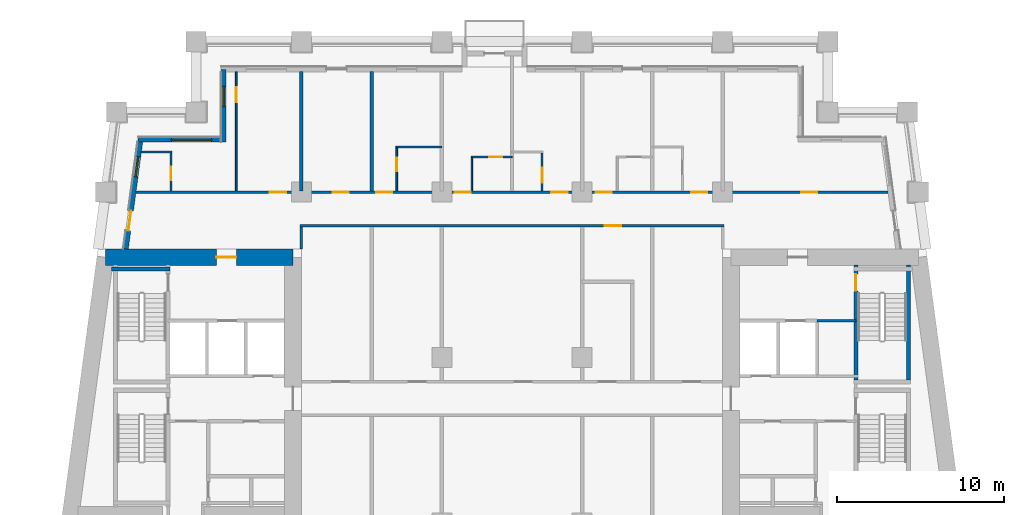
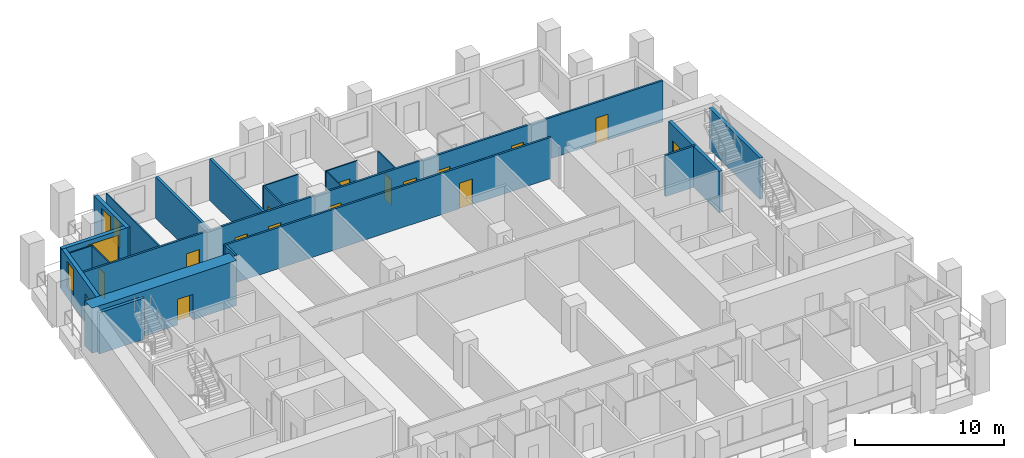
# One storey, part 7 of 14: 21 walls, 17 doors, 3 windows, 20 openings.
"""IFC4 building model written with IfcOpenShell, lengths in metres."""

import ifcopenshell
import ifcopenshell.guid

model = None  # the IFC model being written
_history = None  # IfcOwnerHistory: only IFC2X3 demands one
_inside = {}  # id of a spatial element -> (the spatial element, [elements in it])
_under = {}  # id of a project, library or spatial element -> (it, [spatial elements below it])
_declared = {}  # id of a project -> (the project, [libraries it declares])
_typed = {}  # id of a type object -> (the type object, [elements of that type])
_made_of = {}  # id of a material, layer set ... -> (it, [elements and type objects made of it])


def new_model(schema):
    """Start an empty IFC model of exactly this schema.

    Asked for "IFC4X3", IfcOpenShell would pick the latest addendum, in which some entities
    have other attributes; the version numbers below select the first issue.
    IFC2X3 requires an IfcOwnerHistory on every rooted entity: one is made here for all.
    """
    global model, _history
    if schema == "IFC4X3":
        model = ifcopenshell.file(schema_version=(4, 3, 0, 0))
    else:
        model = ifcopenshell.file(schema=schema)
    _inside.clear()
    _under.clear()
    _declared.clear()
    _typed.clear()
    _made_of.clear()
    _history = None
    if model.schema == "IFC2X3":
        org = make("IfcOrganization", Name="unknown")
        user = make(
            "IfcPersonAndOrganization",
            ThePerson=make("IfcPerson", FamilyName="unknown"),
            TheOrganization=org,
        )
        app = make(
            "IfcApplication",
            ApplicationDeveloper=org,
            Version="unknown",
            ApplicationFullName="unknown",
            ApplicationIdentifier="unknown",
        )
        _history = make(
            "IfcOwnerHistory",
            OwningUser=user,
            OwningApplication=app,
            ChangeAction="ADDED",
            CreationDate=0,
        )
    return model


def make(cls, **values):
    """One entity of the class cls with the attributes given. An attribute that is None is left unset."""
    return model.create_entity(
        cls, **{name: value for name, value in values.items() if value is not None}
    )


def rooted(cls, **values):
    """An entity with a GlobalId (a new one), such as an element, a storey or a relation."""
    return make(cls, GlobalId=ifcopenshell.guid.new(), OwnerHistory=_history, **values)


def si_unit(unit_type, name, prefix=None):
    """IfcSIUnit, for example si_unit("LENGTHUNIT", "METRE", prefix="MILLI")."""
    return make("IfcSIUnit", UnitType=unit_type, Prefix=prefix, Name=name)


def assignment(units):
    """IfcUnitAssignment: the units of a project."""
    return None if units is None else make("IfcUnitAssignment", Units=units)


def point(xyz):
    """IfcCartesianPoint."""
    return None if xyz is None else make("IfcCartesianPoint", Coordinates=xyz)


def direction(xyz):
    """IfcDirection."""
    return None if xyz is None else make("IfcDirection", DirectionRatios=xyz)


def frame(location, z_axis=None, x_axis=None):
    """IfcAxis2Placement3D, a coordinate frame: its origin and axes. An axis left out is left unset."""
    return make(
        "IfcAxis2Placement3D",
        Location=point(location),
        Axis=direction(z_axis),
        RefDirection=direction(x_axis),
    )


def frame_2d(location, x_axis=None):
    """IfcAxis2Placement2D, a coordinate frame in the plane: its origin and x axis."""
    return make(
        "IfcAxis2Placement2D", Location=point(location), RefDirection=direction(x_axis)
    )


def origin():
    """The frame at (0, 0, 0) with its axes left unset."""
    return frame((0.0, 0.0, 0.0))


def place(relative_to, where):
    """IfcLocalPlacement: puts the frame where relative to a parent placement (None: the world)."""
    return make(
        "IfcLocalPlacement", PlacementRelTo=relative_to, RelativePlacement=where
    )


def context(
    kind, dimensions, precision=None, world=None, true_north=None, identifier=None
):
    """IfcGeometricRepresentationContext, for example the 3D "Model" context."""
    return make(
        "IfcGeometricRepresentationContext",
        ContextIdentifier=identifier,
        ContextType=kind,
        CoordinateSpaceDimension=dimensions,
        Precision=precision,
        WorldCoordinateSystem=world,
        TrueNorth=true_north,
    )


def subcontext(parent, identifier, kind, view, scale=None):
    """IfcGeometricRepresentationSubContext, for example "Body" below "Model"."""
    return make(
        "IfcGeometricRepresentationSubContext",
        ContextIdentifier=identifier,
        ContextType=kind,
        ParentContext=parent,
        TargetScale=scale,
        TargetView=view,
    )


def project(units=None, contexts=None):
    """IfcProject with its units and contexts."""
    return rooted(
        "IfcProject",
        Name="project",
        RepresentationContexts=contexts,
        UnitsInContext=assignment(units),
    )


def spatial(cls, under=None, at=None, **own):
    """A site, building, storey or space (cls), placed at a placement, below another one or the project."""
    s = rooted(cls, ObjectPlacement=at, **own)
    if under is not None:
        _under.setdefault(under.id(), (under, []))[1].append(s)
    return s


def profile(cls, at=None, kind="AREA", **sizes):
    """A parametric profile (cls). Its sizes go by their IFC names, for example OverallWidth=200.0."""
    return make(cls, ProfileType=kind, Position=at, **sizes)


def rectangle(**sizes):
    """IfcRectangleProfileDef."""
    return profile("IfcRectangleProfileDef", **sizes)


def extrude(swept, where, along, depth):
    """IfcExtrudedAreaSolid: the profile swept, set in the frame where, extruded along a direction by depth."""
    return make(
        "IfcExtrudedAreaSolid",
        SweptArea=swept,
        Position=where,
        ExtrudedDirection=direction(along),
        Depth=depth,
    )


def shape(context_of_items, identifier, shape_type, items):
    """IfcShapeRepresentation: the items that make up one representation, for example the "Body"."""
    return make(
        "IfcShapeRepresentation",
        ContextOfItems=context_of_items,
        RepresentationIdentifier=identifier,
        RepresentationType=shape_type,
        Items=items,
    )


def material(Name=None, Category=None):
    """IfcMaterial."""
    return make("IfcMaterial", Name=Name, Category=Category)


def layer(
    of_material, thickness, ventilated=None, Name=None, Category=None, Priority=None
):
    """IfcMaterialLayer: one layer of a wall or slab, of a material (None: an air gap)."""
    return make(
        "IfcMaterialLayer",
        Material=of_material,
        LayerThickness=thickness,
        IsVentilated=ventilated,
        Name=Name,
        Category=Category,
        Priority=Priority,
    )


def layer_set(layers, Name=None):
    """IfcMaterialLayerSet."""
    return make("IfcMaterialLayerSet", MaterialLayers=layers, LayerSetName=Name)


def made_of(thing, what):
    """Note that an element or type object is made of a material, layer set ...; save() writes the relation."""
    if what is not None:
        _made_of.setdefault(what.id(), (what, []))[1].append(thing)
    return thing


def type_object(cls, material=None, **own):
    """A type object (cls), such as IfcWallType, which elements share."""
    return made_of(rooted(cls, **own), material)


def element(
    cls,
    number,
    at=None,
    inside=None,
    cuts=None,
    type_object=None,
    material=None,
    context=None,
    identifier="Body",
    shape_type=None,
    held_by="IfcProductDefinitionShape",
    body=None,
    shapes=None,
    **own,
):
    """One element of the class cls, such as IfcWall. Its Tag is "e" and its number.

    at: its placement. inside: the storey or other place that contains it. cuts: it is an
    opening in that element (IfcRelVoidsElement). A single representation is given by context,
    identifier, shape_type and body (its items); several are given by shapes. held_by: the class
    of the entity that holds the representations. save() writes the other relations.
    """
    e = rooted(cls, Tag="e%d" % number, ObjectPlacement=at, **own)
    if body is not None:
        shapes = [shape(context, identifier, shape_type, body)]
    if shapes is not None:
        e.Representation = make(held_by, Representations=shapes)
    if inside is not None:
        _inside.setdefault(inside.id(), (inside, []))[1].append(e)
    if cuts is not None:
        rooted(
            "IfcRelVoidsElement", RelatingBuildingElement=cuts, RelatedOpeningElement=e
        )
    if type_object is not None:
        _typed.setdefault(type_object.id(), (type_object, []))[1].append(e)
    return made_of(e, material)


def fill(opening, filler):
    """IfcRelFillsElement: the door or window that sits in an opening."""
    return rooted(
        "IfcRelFillsElement",
        RelatingOpeningElement=opening,
        RelatedBuildingElement=filler,
    )


def aggregate(whole, parts):
    """IfcRelAggregates: a whole, such as a stair, and the parts it consists of."""
    return rooted("IfcRelAggregates", RelatingObject=whole, RelatedObjects=parts)


def save(model, path):
    """Write the relations noted so far, then the file.

    IfcRelAggregates (storeys below a building ...), IfcRelContainedInSpatialStructure (elements
    in a storey), IfcRelDefinesByType, IfcRelAssociatesMaterial and IfcRelDeclares: one each for
    every whole, place, type object, material and project.
    """
    for whole, parts in _under.values():
        aggregate(whole, parts)
    for where, things in _inside.values():
        rooted(
            "IfcRelContainedInSpatialStructure",
            RelatedElements=things,
            RelatingStructure=where,
        )
    for kind, things in _typed.values():
        rooted("IfcRelDefinesByType", RelatedObjects=things, RelatingType=kind)
    for what, things in _made_of.values():
        rooted("IfcRelAssociatesMaterial", RelatedObjects=things, RelatingMaterial=what)
    for by, libraries in _declared.values():
        rooted("IfcRelDeclares", RelatingContext=by, RelatedDefinitions=libraries)
    model.write(path)


model = new_model("IFC4")

# Units and contexts
model_context = context("Model", 3, precision=1e-05, world=origin(), true_north=direction((0.0, 1.0)))
body_context = subcontext(model_context, "Body", "Model", "MODEL_VIEW")
ifc_project = project(units=[si_unit("LENGTHUNIT", "METRE"), si_unit("AREAUNIT", "SQUARE_METRE"), si_unit("VOLUMEUNIT", "CUBIC_METRE"), si_unit("PLANEANGLEUNIT", "RADIAN"), si_unit("MASSUNIT", "GRAM", prefix="KILO")], contexts=[model_context])

# Site, building, storey
site_placement = place(None, origin())
site = spatial("IfcSite", under=ifc_project, at=site_placement, CompositionType="ELEMENT")
building_placement = place(site_placement, origin())
building = spatial("IfcBuilding", under=site, at=building_placement, Name="Candeia Pilgrim Tower and Theatre", CompositionType="ELEMENT")
storey_placement = place(building_placement, frame((0.0, 0.0, 120.60009765625)))
storey = spatial("IfcBuildingStorey", under=building, at=storey_placement, Name="L28", CompositionType="ELEMENT", Elevation=120.60009765625)

# Wall, opening, door
ifc_material_1 = material(Name="Concrete C70/85", Category="concrete")
ifc_layer_1 = layer(ifc_material_1, 1.0)
ifc_layer_set_1 = layer_set([ifc_layer_1], Name="Core wall 1000 C70/85")
wall_type_1 = type_object("IfcWallType", Name="Core wall 1000 C70/85", PredefinedType="SHEAR", material=ifc_layer_set_1)
wall_1_placement = place(storey_placement, frame((89.06787109375, 131.89990234375, 0.0), z_axis=(0.0, 0.0, 1.0), x_axis=(1.0, 0.0, 0.0)))
wall_1 = element("IfcWall", 1, at=wall_1_placement, inside=storey, type_object=wall_type_1, Name="Core wall W1", PredefinedType="SHEAR", context=body_context, shape_type="SweptSolid", body=[
    extrude(rectangle(XDim=11.232177734375, YDim=1.0, at=frame_2d((5.6162109375, 0.0))), origin(), (0.0, 0.0, 1.0), 3.699951171875),
])
opening_1_placement = place(wall_1_placement, frame((6.6455078125, 0.0, 0.0)))
opening_1 = element("IfcOpeningElement", 2, at=opening_1_placement, cuts=wall_1, Name="Opening L28-D065", PredefinedType="OPENING", context=body_context, shape_type="SweptSolid", body=[
    extrude(rectangle(XDim=1.199951171875, YDim=2.10009765625, at=frame_2d((0.60009765625, 1.050048828125))), frame((0.0, 0.510009765625, 0.0), z_axis=(0.0, -1.0, 0.0), x_axis=(1.0, 0.0, 0.0)), (0.0, 0.0, 1.0), 1.02001953125),
])
ifc_material_2 = material(Name="Steel fire door set", Category="steel")
door_type_1 = type_object("IfcDoorType", Name="D-1200-FD60", OperationType="NOTDEFINED", PredefinedType="DOOR", material=ifc_material_2)
door_1_placement = place(opening_1_placement, origin())
door_1 = element("IfcDoor", 3, at=door_1_placement, inside=storey, type_object=door_type_1, Name="Door L28-D065", OperationType="SINGLE_SWING_LEFT", OverallHeight=2.10009765625, OverallWidth=1.199951171875, PredefinedType="DOOR", context=body_context, shape_type="SweptSolid", body=[
    extrude(rectangle(XDim=1.199951171875, YDim=2.10009765625, at=frame_2d((0.60009765625, 1.050048828125))), frame((0.0, 0.02490234375, 0.0), z_axis=(0.0, -1.0, 0.0), x_axis=(1.0, 0.0, 0.0)), (0.0, 0.0, 1.0), 0.050048828125),
])
fill(opening_1, door_1)

# Wall, opening, window
ifc_material_3 = material(Name="Ceramic block masonry", Category="masonry")
ifc_layer_2 = layer(ifc_material_3, 0.300048828125)
ifc_layer_set_2 = layer_set([ifc_layer_2], Name="EW1 glazing-line wall 300")
wall_type_2 = type_object("IfcWallType", Name="EW1 glazing-line wall 300", PredefinedType="SOLIDWALL", material=ifc_layer_set_2)
wall_2_placement = place(storey_placement, frame((96.14990234375, 143.14990234375, 0.0), z_axis=(0.0, 0.0, 1.0), x_axis=(0.0, -1.0, 0.0)))
wall_2 = element("IfcWall", 4, at=wall_2_placement, inside=storey, type_object=wall_type_2, Name="External wall L28-7.0", PredefinedType="SOLIDWALL", context=body_context, shape_type="SweptSolid", body=[
    extrude(rectangle(XDim=4.349853515625, YDim=0.300048828125, at=frame_2d((2.1748046875, 0.0))), origin(), (0.0, 0.0, 1.0), 3.3798828125),
])
opening_2_placement = place(wall_2_placement, frame((1.02490234375, 0.0, 0.89990234375)))
opening_2 = element("IfcOpeningElement", 5, at=opening_2_placement, cuts=wall_2, Name="Opening W-B", PredefinedType="OPENING", context=body_context, shape_type="SweptSolid", body=[
    extrude(rectangle(XDim=1.199951171875, YDim=2.10009765625, at=frame_2d((0.60009765625, 1.050048828125))), frame((0.0, 0.16015625, 0.0), z_axis=(0.0, -1.0, 0.0), x_axis=(1.0, 0.0, 0.0)), (0.0, 0.0, 1.0), 0.320068359375),
])
ifc_material_4 = material(Name="Aluminium framed double glazing", Category="aluminium")
window_type_1 = type_object("IfcWindowType", Name="W-B window 1200x2100", PartitioningType="SINGLE_PANEL", PredefinedType="WINDOW", material=ifc_material_4)
window_1_placement = place(opening_2_placement, origin())
window_1 = element("IfcWindow", 6, at=window_1_placement, inside=storey, type_object=window_type_1, Name="Window W-B L28", OverallHeight=2.10009765625, OverallWidth=1.199951171875, PartitioningType="SINGLE_PANEL", PredefinedType="WINDOW", context=body_context, shape_type="SweptSolid", body=[
    extrude(rectangle(XDim=1.199951171875, YDim=2.10009765625, at=frame_2d((0.60009765625, 1.050048828125))), frame((0.0, 0.030029296875, 0.0), z_axis=(0.0, -1.0, 0.0), x_axis=(1.0, 0.0, 0.0)), (0.0, 0.0, 1.0), 0.06005859375),
])
fill(opening_2, window_1)

wall_3_placement = place(storey_placement, frame((96.14990234375, 138.949951171875, 0.0), z_axis=(0.0, 0.0, 1.0), x_axis=(-1.0, 0.0, 0.0)))
wall_3 = element("IfcWall", 7, at=wall_3_placement, inside=storey, type_object=wall_type_2, Name="External wall L28-8.0", PredefinedType="SOLIDWALL", context=body_context, shape_type="SweptSolid", body=[
    extrude(rectangle(XDim=5.103759765625, YDim=0.300048828125, at=frame_2d((2.5517578125, 0.0))), origin(), (0.0, 0.0, 1.0), 3.3798828125),
])
opening_3_placement = place(wall_3_placement, frame((0.72509765625, 0.0, 0.89990234375)))
opening_3 = element("IfcOpeningElement", 8, at=opening_3_placement, cuts=wall_3, Name="Opening W-A", PredefinedType="OPENING", context=body_context, shape_type="SweptSolid", body=[
    extrude(rectangle(XDim=2.39990234375, YDim=2.10009765625, at=frame_2d((1.199951171875, 1.050048828125))), frame((0.0, 0.16015625, 0.0), z_axis=(0.0, -1.0, 0.0), x_axis=(1.0, 0.0, 0.0)), (0.0, 0.0, 1.0), 0.320068359375),
])
window_type_2 = type_object("IfcWindowType", Name="W-A window 2400x2100", PartitioningType="DOUBLE_PANEL_VERTICAL", PredefinedType="WINDOW", material=ifc_material_4)
window_2_placement = place(opening_3_placement, origin())
window_2 = element("IfcWindow", 9, at=window_2_placement, inside=storey, type_object=window_type_2, Name="Window W-A L28", OverallHeight=2.10009765625, OverallWidth=2.39990234375, PartitioningType="SINGLE_PANEL", PredefinedType="WINDOW", context=body_context, shape_type="SweptSolid", body=[
    extrude(rectangle(XDim=2.39990234375, YDim=2.10009765625, at=frame_2d((1.199951171875, 1.050048828125))), frame((0.0, 0.030029296875, 0.0), z_axis=(0.0, -1.0, 0.0), x_axis=(1.0, 0.0, 0.0)), (0.0, 0.0, 1.0), 0.06005859375),
])
fill(opening_3, window_2)

# Wall, openings, door, window
wall_4_placement = place(storey_placement, frame((91.177490234375, 138.949951171875, 0.0), z_axis=(0.0, 0.0, 1.0), x_axis=(-0.133426664613, -0.991058689065, 0.0)))
wall_4 = element("IfcWall", 10, at=wall_4_placement, inside=storey, type_object=wall_type_2, Name="External wall L28-9.0", PredefinedType="SOLIDWALL", context=body_context, shape_type="SweptSolid", body=[
    extrude(rectangle(XDim=6.609130859375, YDim=0.300048828125, at=frame_2d((3.3046875, 0.0))), origin(), (0.0, 0.0, 1.0), 3.3798828125),
])
opening_4_placement = place(wall_4_placement, frame((1.039306640625, 0.0, 0.89990234375)))
opening_4 = element("IfcOpeningElement", 11, at=opening_4_placement, cuts=wall_4, Name="Opening W-B", PredefinedType="OPENING", context=body_context, shape_type="SweptSolid", body=[
    extrude(rectangle(XDim=1.199951171875, YDim=2.10009765625, at=frame_2d((0.60009765625, 1.050048828125))), frame((0.0, 0.16015625, 0.0), z_axis=(0.0, -1.0, 0.0), x_axis=(1.0, 0.0, 0.0)), (0.0, 0.0, 1.0), 0.320068359375),
])
opening_5_placement = place(wall_4_placement, frame((4.293701171875, 0.0, 0.0)))
opening_5 = element("IfcOpeningElement", 12, at=opening_5_placement, cuts=wall_4, Name="Opening L28-ED288", PredefinedType="OPENING", context=body_context, shape_type="SweptSolid", body=[
    extrude(rectangle(XDim=1.199951171875, YDim=2.39990234375, at=frame_2d((0.60009765625, 1.199951171875))), frame((0.0, 0.16015625, 0.0), z_axis=(0.0, -1.0, 0.0), x_axis=(1.0, 0.0, 0.0)), (0.0, 0.0, 1.0), 0.320068359375),
])
ifc_material_5 = material(Name="Aluminium framed glazed door", Category="aluminium")
door_type_2 = type_object("IfcDoorType", Name="Loggia door 1200x2400", OperationType="DOUBLE_DOOR_SINGLE_SWING", PredefinedType="DOOR", material=ifc_material_5)
door_2_placement = place(opening_5_placement, origin())
door_2 = element("IfcDoor", 13, at=door_2_placement, inside=storey, type_object=door_type_2, Name="Loggia door L28-ED288", OperationType="DOUBLE_DOOR_SINGLE_SWING", OverallHeight=2.39990234375, OverallWidth=1.199951171875, PredefinedType="DOOR", context=body_context, shape_type="SweptSolid", body=[
    extrude(rectangle(XDim=1.199951171875, YDim=2.39990234375, at=frame_2d((0.60009765625, 1.199951171875))), frame((0.0, 0.02490234375, 0.0), z_axis=(0.0, -1.0, 0.0), x_axis=(1.0, 0.0, 0.0)), (0.0, 0.0, 1.0), 0.050048828125),
])
fill(opening_5, door_2)
window_3_placement = place(opening_4_placement, origin())
window_3 = element("IfcWindow", 14, at=window_3_placement, inside=storey, type_object=window_type_1, Name="Window W-B L28", OverallHeight=2.10009765625, OverallWidth=1.199951171875, PartitioningType="SINGLE_PANEL", PredefinedType="WINDOW", context=body_context, shape_type="SweptSolid", body=[
    extrude(rectangle(XDim=1.199951171875, YDim=2.10009765625, at=frame_2d((0.60009765625, 1.050048828125))), frame((0.0, 0.030029296875, 0.0), z_axis=(0.0, -1.0, 0.0), x_axis=(1.0, 0.0, 0.0)), (0.0, 0.0, 1.0), 0.06005859375),
])
fill(opening_4, window_3)

# Wall, opening, door
ifc_material_6 = material(Name="Gypsum board partition on steel studs", Category="steel")
ifc_layer_3 = layer(ifc_material_6, 0.10009765625)
ifc_layer_set_3 = layer_set([ifc_layer_3], Name="PW-100 room partition")
wall_type_3 = type_object("IfcWallType", Name="PW-100 room partition", PredefinedType="PARTITIONING", material=ifc_layer_set_3)
wall_5_placement = place(storey_placement, frame((110.949951171875, 137.89990234375, 0.0), z_axis=(0.0, 0.0, 1.0), x_axis=(1.0, 0.0, 0.0)))
wall_5 = element("IfcWall", 15, at=wall_5_placement, inside=storey, type_object=wall_type_3, Name="Room partition L28-047", PredefinedType="PARTITIONING", context=body_context, shape_type="SweptSolid", body=[
    extrude(rectangle(XDim=2.449951171875, YDim=0.10009765625, at=frame_2d((1.22509765625, 0.0))), origin(), (0.0, 0.0, 1.0), 3.3798828125),
])
opening_6_placement = place(wall_5_placement, frame((1.074951171875, 0.0, 0.0)))
opening_6 = element("IfcOpeningElement", 16, at=opening_6_placement, cuts=wall_5, Name="Opening L28-D045", PredefinedType="OPENING", context=body_context, shape_type="SweptSolid", body=[
    extrude(rectangle(XDim=0.800048828125, YDim=2.10009765625, at=frame_2d((0.39990234375, 1.050048828125))), frame((0.0, 0.06005859375, 0.0), z_axis=(0.0, -1.0, 0.0), x_axis=(1.0, 0.0, 0.0)), (0.0, 0.0, 1.0), 0.1201171875),
])
ifc_material_7 = material(Name="Timber door leaf", Category="wood")
door_type_3 = type_object("IfcDoorType", Name="D-800", OperationType="NOTDEFINED", PredefinedType="DOOR", material=ifc_material_7)
door_3_placement = place(opening_6_placement, origin())
door_3 = element("IfcDoor", 17, at=door_3_placement, inside=storey, type_object=door_type_3, Name="Door L28-D045", OperationType="SINGLE_SWING_LEFT", OverallHeight=2.10009765625, OverallWidth=0.800048828125, PredefinedType="DOOR", context=body_context, shape_type="SweptSolid", body=[
    extrude(rectangle(XDim=0.800048828125, YDim=2.10009765625, at=frame_2d((0.39990234375, 1.050048828125))), frame((0.0, 0.02490234375, 0.0), z_axis=(0.0, -1.0, 0.0), x_axis=(1.0, 0.0, 0.0)), (0.0, 0.0, 1.0), 0.050048828125),
])
fill(opening_6, door_3)

# Walls
wall_6_placement = place(storey_placement, frame((91.2177734375, 138.199951171875, 0.0), z_axis=(0.0, 0.0, 1.0), x_axis=(1.0, 0.0, 0.0)))
element("IfcWall", 18, at=wall_6_placement, inside=storey, type_object=wall_type_3, Name="Room partition L28-049", PredefinedType="PARTITIONING", context=body_context, shape_type="SweptSolid", body=[
    extrude(rectangle(XDim=1.832275390625, YDim=0.10009765625, at=frame_2d((0.916015625, 0.0))), origin(), (0.0, 0.0, 1.0), 3.3798828125),
])
wall_7_placement = place(storey_placement, frame((106.449951171875, 138.5, 0.0), z_axis=(0.0, 0.0, 1.0), x_axis=(1.0, 0.0, 0.0)))
element("IfcWall", 19, at=wall_7_placement, inside=storey, type_object=wall_type_3, Name="Room partition L28-051", PredefinedType="PARTITIONING", context=body_context, shape_type="SweptSolid", body=[
    extrude(rectangle(XDim=2.75, YDim=0.10009765625, at=frame_2d((1.375, 0.0))), origin(), (0.0, 0.0, 1.0), 3.3798828125),
])

# Wall, opening, door
wall_8_placement = place(storey_placement, frame((93.0, 135.875, 0.0), z_axis=(0.0, 0.0, 1.0), x_axis=(0.0, 1.0, 0.0)))
wall_8 = element("IfcWall", 20, at=wall_8_placement, inside=storey, type_object=wall_type_3, Name="Room partition L28-064", PredefinedType="PARTITIONING", context=body_context, shape_type="SweptSolid", body=[
    extrude(rectangle(XDim=2.27490234375, YDim=0.10009765625, at=frame_2d((1.137451171875, 0.0))), origin(), (0.0, 0.0, 1.0), 3.3798828125),
])
opening_7_placement = place(wall_8_placement, frame((0.635009765625, 0.0, 0.0)))
opening_7 = element("IfcOpeningElement", 21, at=opening_7_placement, cuts=wall_8, Name="Opening L28-D040", PredefinedType="OPENING", context=body_context, shape_type="SweptSolid", body=[
    extrude(rectangle(XDim=0.800048828125, YDim=2.10009765625, at=frame_2d((0.39990234375, 1.050048828125))), frame((0.0, 0.06005859375, 0.0), z_axis=(0.0, -1.0, 0.0), x_axis=(1.0, 0.0, 0.0)), (0.0, 0.0, 1.0), 0.1201171875),
])
door_4_placement = place(opening_7_placement, origin())
door_4 = element("IfcDoor", 22, at=door_4_placement, inside=storey, type_object=door_type_3, Name="Door L28-D040", OperationType="SINGLE_SWING_RIGHT", OverallHeight=2.10009765625, OverallWidth=0.800048828125, PredefinedType="DOOR", context=body_context, shape_type="SweptSolid", body=[
    extrude(rectangle(XDim=0.800048828125, YDim=2.10009765625, at=frame_2d((0.39990234375, 1.050048828125))), frame((0.0, 0.02490234375, 0.0), z_axis=(0.0, -1.0, 0.0), x_axis=(1.0, 0.0, 0.0)), (0.0, 0.0, 1.0), 0.050048828125),
])
fill(opening_7, door_4)

wall_9_placement = place(storey_placement, frame((96.89990234375, 135.875, 0.0), z_axis=(0.0, 0.0, 1.0), x_axis=(0.0, 1.0, 0.0)))
wall_9 = element("IfcWall", 23, at=wall_9_placement, inside=storey, type_object=wall_type_3, Name="Room partition L28-071", PredefinedType="PARTITIONING", context=body_context, shape_type="SweptSolid", body=[
    extrude(rectangle(XDim=7.135009765625, YDim=0.10009765625, at=frame_2d((3.5673828125, 0.0))), origin(), (0.0, 0.0, 1.0), 3.3798828125),
])
opening_8_placement = place(wall_9_placement, frame((5.2900390625, 0.0, 0.0)))
opening_8 = element("IfcOpeningElement", 24, at=opening_8_placement, cuts=wall_9, Name="Opening L28-D039", PredefinedType="OPENING", context=body_context, shape_type="SweptSolid", body=[
    extrude(rectangle(XDim=0.89990234375, YDim=2.10009765625, at=frame_2d((0.449951171875, 1.050048828125))), frame((0.0, 0.06005859375, 0.0), z_axis=(0.0, -1.0, 0.0), x_axis=(1.0, 0.0, 0.0)), (0.0, 0.0, 1.0), 0.1201171875),
])
door_type_4 = type_object("IfcDoorType", Name="D-900", OperationType="NOTDEFINED", PredefinedType="DOOR", material=ifc_material_7)
door_5_placement = place(opening_8_placement, origin())
door_5 = element("IfcDoor", 25, at=door_5_placement, inside=storey, type_object=door_type_4, Name="Door L28-D039", OperationType="SINGLE_SWING_LEFT", OverallHeight=2.10009765625, OverallWidth=0.89990234375, PredefinedType="DOOR", context=body_context, shape_type="SweptSolid", body=[
    extrude(rectangle(XDim=0.89990234375, YDim=2.10009765625, at=frame_2d((0.449951171875, 1.050048828125))), frame((0.0, 0.02490234375, 0.0), z_axis=(0.0, -1.0, 0.0), x_axis=(1.0, 0.0, 0.0)), (0.0, 0.0, 1.0), 0.050048828125),
])
fill(opening_8, door_5)

wall_10_placement = place(storey_placement, frame((106.5, 135.875, 0.0), z_axis=(0.0, 0.0, 1.0), x_axis=(0.0, 1.0, 0.0)))
wall_10 = element("IfcWall", 26, at=wall_10_placement, inside=storey, type_object=wall_type_3, Name="Room partition L28-086", PredefinedType="PARTITIONING", context=body_context, shape_type="SweptSolid", body=[
    extrude(rectangle(XDim=2.574951171875, YDim=0.10009765625, at=frame_2d((1.28759765625, 0.0))), origin(), (0.0, 0.0, 1.0), 3.3798828125),
])
opening_9_placement = place(wall_10_placement, frame((1.175048828125, 0.0, 0.0)))
opening_9 = element("IfcOpeningElement", 27, at=opening_9_placement, cuts=wall_10, Name="Opening L28-D043", PredefinedType="OPENING", context=body_context, shape_type="SweptSolid", body=[
    extrude(rectangle(XDim=0.800048828125, YDim=2.10009765625, at=frame_2d((0.39990234375, 1.050048828125))), frame((0.0, 0.06005859375, 0.0), z_axis=(0.0, -1.0, 0.0), x_axis=(1.0, 0.0, 0.0)), (0.0, 0.0, 1.0), 0.1201171875),
])
door_6_placement = place(opening_9_placement, origin())
door_6 = element("IfcDoor", 28, at=door_6_placement, inside=storey, type_object=door_type_3, Name="Door L28-D043", OperationType="SINGLE_SWING_LEFT", OverallHeight=2.10009765625, OverallWidth=0.800048828125, PredefinedType="DOOR", context=body_context, shape_type="SweptSolid", body=[
    extrude(rectangle(XDim=0.800048828125, YDim=2.10009765625, at=frame_2d((0.39990234375, 1.050048828125))), frame((0.0, 0.02490234375, 0.0), z_axis=(0.0, -1.0, 0.0), x_axis=(1.0, 0.0, 0.0)), (0.0, 0.0, 1.0), 0.050048828125),
])
fill(opening_9, door_6)

# Wall
wall_11_placement = place(storey_placement, frame((111.0, 135.875, 0.0), z_axis=(0.0, 0.0, 1.0), x_axis=(0.0, 1.0, 0.0)))
element("IfcWall", 29, at=wall_11_placement, inside=storey, type_object=wall_type_3, Name="Room partition L28-091", PredefinedType="PARTITIONING", context=body_context, shape_type="SweptSolid", body=[
    extrude(rectangle(XDim=1.97509765625, YDim=0.10009765625, at=frame_2d((0.987548828125, 0.0))), origin(), (0.0, 0.0, 1.0), 3.3798828125),
])

# Wall, opening, door
wall_12_placement = place(storey_placement, frame((115.199951171875, 135.875, 0.0), z_axis=(0.0, 0.0, 1.0), x_axis=(0.0, 1.0, 0.0)))
wall_12 = element("IfcWall", 30, at=wall_12_placement, inside=storey, type_object=wall_type_3, Name="Room partition L28-096", PredefinedType="PARTITIONING", context=body_context, shape_type="SweptSolid", body=[
    extrude(rectangle(XDim=2.27490234375, YDim=0.10009765625, at=frame_2d((1.137451171875, 0.0))), origin(), (0.0, 0.0, 1.0), 3.3798828125),
])
opening_10_placement = place(wall_12_placement, frame((0.47509765625, 0.0, 0.0)))
opening_10 = element("IfcOpeningElement", 31, at=opening_10_placement, cuts=wall_12, Name="Opening L28-D047", PredefinedType="OPENING", context=body_context, shape_type="SweptSolid", body=[
    extrude(rectangle(XDim=0.89990234375, YDim=2.10009765625, at=frame_2d((0.449951171875, 1.050048828125))), frame((0.0, 0.06005859375, 0.0), z_axis=(0.0, -1.0, 0.0), x_axis=(1.0, 0.0, 0.0)), (0.0, 0.0, 1.0), 0.1201171875),
])
door_7_placement = place(opening_10_placement, origin())
door_7 = element("IfcDoor", 32, at=door_7_placement, inside=storey, type_object=door_type_4, Name="Door L28-D047", OperationType="SINGLE_SWING_LEFT", OverallHeight=2.10009765625, OverallWidth=0.89990234375, PredefinedType="DOOR", context=body_context, shape_type="SweptSolid", body=[
    extrude(rectangle(XDim=0.89990234375, YDim=2.10009765625, at=frame_2d((0.449951171875, 1.050048828125))), frame((0.0, 0.02490234375, 0.0), z_axis=(0.0, -1.0, 0.0), x_axis=(1.0, 0.0, 0.0)), (0.0, 0.0, 1.0), 0.050048828125),
])
fill(opening_10, door_7)

# Wall
ifc_layer_4 = layer(ifc_material_6, 0.14990234375)
ifc_layer_set_4 = layer_set([ifc_layer_4], Name="PW-150 lobby wall")
wall_type_4 = type_object("IfcWallType", Name="PW-150 lobby wall", PredefinedType="PARTITIONING", material=ifc_layer_set_4)
wall_13_placement = place(storey_placement, frame((131.648681640625, 128.10009765625, 0.0), z_axis=(0.0, 0.0, 1.0), x_axis=(1.0, 0.0, 0.0)))
element("IfcWall", 33, at=wall_13_placement, inside=storey, type_object=wall_type_4, Name="Lobby wall L28-041", PredefinedType="PARTITIONING", context=body_context, shape_type="SweptSolid", body=[
    extrude(rectangle(XDim=2.32421875, YDim=0.14990234375, at=frame_2d((1.162109375, 0.0))), origin(), (0.0, 0.0, 1.0), 3.3798828125),
])

# Wall, opening, door
ifc_layer_5 = layer(ifc_material_6, 0.14990234375)
ifc_layer_set_5 = layer_set([ifc_layer_5], Name="PW-150 unit wall")
wall_type_5 = type_object("IfcWallType", Name="PW-150 unit wall", PredefinedType="PARTITIONING", material=ifc_layer_set_5)
wall_14_placement = place(storey_placement, frame((100.72509765625, 133.800048828125, 0.0), z_axis=(0.0, 0.0, 1.0), x_axis=(1.0, 0.0, 0.0)))
wall_14 = element("IfcWall", 34, at=wall_14_placement, inside=storey, type_object=wall_type_5, Name="Unit wall L28-045", PredefinedType="PARTITIONING", context=body_context, shape_type="SweptSolid", body=[
    extrude(rectangle(XDim=25.349853515625, YDim=0.14990234375, at=frame_2d((12.6748046875, 0.0))), origin(), (0.0, 0.0, 1.0), 3.3798828125),
])
opening_11_placement = place(wall_14_placement, frame((18.22509765625, 0.0, 0.0)))
opening_11 = element("IfcOpeningElement", 35, at=opening_11_placement, cuts=wall_14, Name="Opening L28-D053", PredefinedType="OPENING", context=body_context, shape_type="SweptSolid", body=[
    extrude(rectangle(XDim=1.0, YDim=2.10009765625, at=frame_2d((0.5, 1.050048828125))), frame((0.0, 0.0849609375, 0.0), z_axis=(0.0, -1.0, 0.0), x_axis=(1.0, 0.0, 0.0)), (0.0, 0.0, 1.0), 0.169921875),
])
door_type_5 = type_object("IfcDoorType", Name="D-1000-FD30S", OperationType="NOTDEFINED", PredefinedType="DOOR", material=ifc_material_2)
door_8_placement = place(opening_11_placement, origin())
door_8 = element("IfcDoor", 36, at=door_8_placement, inside=storey, type_object=door_type_5, Name="Door L28-D053", OperationType="SINGLE_SWING_LEFT", OverallHeight=2.10009765625, OverallWidth=1.0, PredefinedType="DOOR", context=body_context, shape_type="SweptSolid", body=[
    extrude(rectangle(XDim=1.0, YDim=2.10009765625, at=frame_2d((0.5, 1.050048828125))), frame((0.0, 0.02490234375, 0.0), z_axis=(0.0, -1.0, 0.0), x_axis=(1.0, 0.0, 0.0)), (0.0, 0.0, 1.0), 0.050048828125),
])
fill(opening_11, door_8)

# Wall, openings, doors
wall_15_placement = place(storey_placement, frame((90.89453125, 135.800048828125, 0.0), z_axis=(0.0, 0.0, 1.0), x_axis=(1.0, 0.0, 0.0)))
wall_15 = element("IfcWall", 37, at=wall_15_placement, inside=storey, type_object=wall_type_5, Name="Unit wall L28-046", PredefinedType="PARTITIONING", context=body_context, shape_type="SweptSolid", body=[
    extrude(rectangle(XDim=45.010986328125, YDim=0.14990234375, at=frame_2d((22.50537109375, 0.0))), origin(), (0.0, 0.0, 1.0), 3.3798828125),
])
opening_12_placement = place(wall_15_placement, frame((8.00537109375, 0.0, 0.0)))
opening_12 = element("IfcOpeningElement", 38, at=opening_12_placement, cuts=wall_15, Name="Opening L28-D038", PredefinedType="OPENING", context=body_context, shape_type="SweptSolid", body=[
    extrude(rectangle(XDim=1.0, YDim=2.10009765625, at=frame_2d((0.5, 1.050048828125))), frame((0.0, 0.0849609375, 0.0), z_axis=(0.0, -1.0, 0.0), x_axis=(1.0, 0.0, 0.0)), (0.0, 0.0, 1.0), 0.169921875),
])
opening_13_placement = place(wall_15_placement, frame((11.785400390625, 0.0, 0.0)))
opening_13 = element("IfcOpeningElement", 39, at=opening_13_placement, cuts=wall_15, Name="Opening L28-D041", PredefinedType="OPENING", context=body_context, shape_type="SweptSolid", body=[
    extrude(rectangle(XDim=0.949951171875, YDim=2.10009765625, at=frame_2d((0.47509765625, 1.050048828125))), frame((0.0, 0.0849609375, 0.0), z_axis=(0.0, -1.0, 0.0), x_axis=(1.0, 0.0, 0.0)), (0.0, 0.0, 1.0), 0.169921875),
])
opening_14_placement = place(wall_15_placement, frame((14.38037109375, 0.0, 0.0)))
opening_14 = element("IfcOpeningElement", 40, at=opening_14_placement, cuts=wall_15, Name="Opening L28-D042", PredefinedType="OPENING", context=body_context, shape_type="SweptSolid", body=[
    extrude(rectangle(XDim=0.949951171875, YDim=2.10009765625, at=frame_2d((0.47509765625, 1.050048828125))), frame((0.0, 0.0849609375, 0.0), z_axis=(0.0, -1.0, 0.0), x_axis=(1.0, 0.0, 0.0)), (0.0, 0.0, 1.0), 0.169921875),
])
opening_15_placement = place(wall_15_placement, frame((19.075439453125, 0.0, 0.0)))
opening_15 = element("IfcOpeningElement", 41, at=opening_15_placement, cuts=wall_15, Name="Opening L28-D044", PredefinedType="OPENING", context=body_context, shape_type="SweptSolid", body=[
    extrude(rectangle(XDim=0.949951171875, YDim=2.10009765625, at=frame_2d((0.47509765625, 1.050048828125))), frame((0.0, 0.0849609375, 0.0), z_axis=(0.0, -1.0, 0.0), x_axis=(1.0, 0.0, 0.0)), (0.0, 0.0, 1.0), 0.169921875),
])
opening_16_placement = place(wall_15_placement, frame((24.85546875, 0.0, 0.0)))
opening_16 = element("IfcOpeningElement", 42, at=opening_16_placement, cuts=wall_15, Name="Opening L28-D046", PredefinedType="OPENING", context=body_context, shape_type="SweptSolid", body=[
    extrude(rectangle(XDim=1.0, YDim=2.10009765625, at=frame_2d((0.5, 1.050048828125))), frame((0.0, 0.0849609375, 0.0), z_axis=(0.0, -1.0, 0.0), x_axis=(1.0, 0.0, 0.0)), (0.0, 0.0, 1.0), 0.169921875),
])
opening_17_placement = place(wall_15_placement, frame((27.515380859375, 0.0, 0.0)))
opening_17 = element("IfcOpeningElement", 43, at=opening_17_placement, cuts=wall_15, Name="Opening L28-D048", PredefinedType="OPENING", context=body_context, shape_type="SweptSolid", body=[
    extrude(rectangle(XDim=0.949951171875, YDim=2.10009765625, at=frame_2d((0.47509765625, 1.050048828125))), frame((0.0, 0.0849609375, 0.0), z_axis=(0.0, -1.0, 0.0), x_axis=(1.0, 0.0, 0.0)), (0.0, 0.0, 1.0), 0.169921875),
])
opening_18_placement = place(wall_15_placement, frame((33.242431640625, 0.0, 0.0)))
opening_18 = element("IfcOpeningElement", 44, at=opening_18_placement, cuts=wall_15, Name="Opening L28-D050", PredefinedType="OPENING", context=body_context, shape_type="SweptSolid", body=[
    extrude(rectangle(XDim=0.949951171875, YDim=2.10009765625, at=frame_2d((0.47509765625, 1.050048828125))), frame((0.0, 0.0849609375, 0.0), z_axis=(0.0, -1.0, 0.0), x_axis=(1.0, 0.0, 0.0)), (0.0, 0.0, 1.0), 0.169921875),
])
opening_19_placement = place(wall_15_placement, frame((39.814453125, 0.0, 0.0)))
opening_19 = element("IfcOpeningElement", 45, at=opening_19_placement, cuts=wall_15, Name="Opening L28-D052", PredefinedType="OPENING", context=body_context, shape_type="SweptSolid", body=[
    extrude(rectangle(XDim=0.949951171875, YDim=2.10009765625, at=frame_2d((0.47509765625, 1.050048828125))), frame((0.0, 0.0849609375, 0.0), z_axis=(0.0, -1.0, 0.0), x_axis=(1.0, 0.0, 0.0)), (0.0, 0.0, 1.0), 0.169921875),
])
door_9_placement = place(opening_12_placement, origin())
door_9 = element("IfcDoor", 46, at=door_9_placement, inside=storey, type_object=door_type_5, Name="Door L28-D038", OperationType="SINGLE_SWING_RIGHT", OverallHeight=2.10009765625, OverallWidth=1.0, PredefinedType="DOOR", context=body_context, shape_type="SweptSolid", body=[
    extrude(rectangle(XDim=1.0, YDim=2.10009765625, at=frame_2d((0.5, 1.050048828125))), frame((0.0, 0.02490234375, 0.0), z_axis=(0.0, -1.0, 0.0), x_axis=(1.0, 0.0, 0.0)), (0.0, 0.0, 1.0), 0.050048828125),
])
fill(opening_12, door_9)
door_10_placement = place(opening_16_placement, origin())
door_10 = element("IfcDoor", 47, at=door_10_placement, inside=storey, type_object=door_type_5, Name="Door L28-D046", OperationType="SINGLE_SWING_RIGHT", OverallHeight=2.10009765625, OverallWidth=1.0, PredefinedType="DOOR", context=body_context, shape_type="SweptSolid", body=[
    extrude(rectangle(XDim=1.0, YDim=2.10009765625, at=frame_2d((0.5, 1.050048828125))), frame((0.0, 0.02490234375, 0.0), z_axis=(0.0, -1.0, 0.0), x_axis=(1.0, 0.0, 0.0)), (0.0, 0.0, 1.0), 0.050048828125),
])
fill(opening_16, door_10)
door_type_6 = type_object("IfcDoorType", Name="D-950-FD30S", OperationType="NOTDEFINED", PredefinedType="DOOR", material=ifc_material_2)
door_11_placement = place(opening_13_placement, origin())
door_11 = element("IfcDoor", 48, at=door_11_placement, inside=storey, type_object=door_type_6, Name="Door L28-D041", OperationType="SINGLE_SWING_LEFT", OverallHeight=2.10009765625, OverallWidth=0.949951171875, PredefinedType="DOOR", context=body_context, shape_type="SweptSolid", body=[
    extrude(rectangle(XDim=0.949951171875, YDim=2.10009765625, at=frame_2d((0.47509765625, 1.050048828125))), frame((0.0, 0.02490234375, 0.0), z_axis=(0.0, -1.0, 0.0), x_axis=(1.0, 0.0, 0.0)), (0.0, 0.0, 1.0), 0.050048828125),
])
fill(opening_13, door_11)
door_12_placement = place(opening_14_placement, origin())
door_12 = element("IfcDoor", 49, at=door_12_placement, inside=storey, type_object=door_type_6, Name="Door L28-D042", OperationType="SINGLE_SWING_RIGHT", OverallHeight=2.10009765625, OverallWidth=0.949951171875, PredefinedType="DOOR", context=body_context, shape_type="SweptSolid", body=[
    extrude(rectangle(XDim=0.949951171875, YDim=2.10009765625, at=frame_2d((0.47509765625, 1.050048828125))), frame((0.0, 0.02490234375, 0.0), z_axis=(0.0, -1.0, 0.0), x_axis=(1.0, 0.0, 0.0)), (0.0, 0.0, 1.0), 0.050048828125),
])
fill(opening_14, door_12)
door_13_placement = place(opening_15_placement, origin())
door_13 = element("IfcDoor", 50, at=door_13_placement, inside=storey, type_object=door_type_6, Name="Door L28-D044", OperationType="SINGLE_SWING_RIGHT", OverallHeight=2.10009765625, OverallWidth=0.949951171875, PredefinedType="DOOR", context=body_context, shape_type="SweptSolid", body=[
    extrude(rectangle(XDim=0.949951171875, YDim=2.10009765625, at=frame_2d((0.47509765625, 1.050048828125))), frame((0.0, 0.02490234375, 0.0), z_axis=(0.0, -1.0, 0.0), x_axis=(1.0, 0.0, 0.0)), (0.0, 0.0, 1.0), 0.050048828125),
])
fill(opening_15, door_13)
door_14_placement = place(opening_17_placement, origin())
door_14 = element("IfcDoor", 51, at=door_14_placement, inside=storey, type_object=door_type_6, Name="Door L28-D048", OperationType="SINGLE_SWING_RIGHT", OverallHeight=2.10009765625, OverallWidth=0.949951171875, PredefinedType="DOOR", context=body_context, shape_type="SweptSolid", body=[
    extrude(rectangle(XDim=0.949951171875, YDim=2.10009765625, at=frame_2d((0.47509765625, 1.050048828125))), frame((0.0, 0.02490234375, 0.0), z_axis=(0.0, -1.0, 0.0), x_axis=(1.0, 0.0, 0.0)), (0.0, 0.0, 1.0), 0.050048828125),
])
fill(opening_17, door_14)
door_15_placement = place(opening_18_placement, origin())
door_15 = element("IfcDoor", 52, at=door_15_placement, inside=storey, type_object=door_type_6, Name="Door L28-D050", OperationType="SINGLE_SWING_RIGHT", OverallHeight=2.10009765625, OverallWidth=0.949951171875, PredefinedType="DOOR", context=body_context, shape_type="SweptSolid", body=[
    extrude(rectangle(XDim=0.949951171875, YDim=2.10009765625, at=frame_2d((0.47509765625, 1.050048828125))), frame((0.0, 0.02490234375, 0.0), z_axis=(0.0, -1.0, 0.0), x_axis=(1.0, 0.0, 0.0)), (0.0, 0.0, 1.0), 0.050048828125),
])
fill(opening_18, door_15)
door_16_placement = place(opening_19_placement, origin())
door_16 = element("IfcDoor", 53, at=door_16_placement, inside=storey, type_object=door_type_6, Name="Door L28-D052", OperationType="SINGLE_SWING_RIGHT", OverallHeight=2.10009765625, OverallWidth=0.949951171875, PredefinedType="DOOR", context=body_context, shape_type="SweptSolid", body=[
    extrude(rectangle(XDim=0.949951171875, YDim=2.10009765625, at=frame_2d((0.47509765625, 1.050048828125))), frame((0.0, 0.02490234375, 0.0), z_axis=(0.0, -1.0, 0.0), x_axis=(1.0, 0.0, 0.0)), (0.0, 0.0, 1.0), 0.050048828125),
])
fill(opening_19, door_16)

# Walls
wall_16_placement = place(storey_placement, frame((100.800048828125, 132.39990234375, 0.0), z_axis=(0.0, 0.0, 1.0), x_axis=(0.0, 1.0, 0.0)))
element("IfcWall", 54, at=wall_16_placement, inside=storey, type_object=wall_type_5, Name="Unit wall L28-079", PredefinedType="PARTITIONING", context=body_context, shape_type="SweptSolid", body=[
    extrude(rectangle(XDim=1.3251953125, YDim=0.14990234375, at=frame_2d((0.66259765625, 0.0))), origin(), (0.0, 0.0, 1.0), 3.3798828125),
])
ifc_layer_6 = layer(ifc_material_6, 0.199951171875)
ifc_layer_set_6 = layer_set([ifc_layer_6], Name="PW-200 party wall")
wall_type_6 = type_object("IfcWallType", Name="PW-200 party wall", PredefinedType="PARTITIONING", material=ifc_layer_set_6)
for number, where, z_axis, x_axis, name in (
    (55, (100.800048828125, 135.875, 0.0), (0.0, 0.0, 1.0), (0.0, 1.0, 0.0), "Party wall L28-077"),
    (56, (105.0, 135.875, 0.0), (0.0, 0.0, 1.0), (0.0, 1.0, 0.0), "Party wall L28-084"),
):
    element("IfcWall", number, at=place(storey_placement, frame(where, z_axis=z_axis, x_axis=x_axis)), inside=storey, type_object=wall_type_6, Name=name, PredefinedType="PARTITIONING", context=body_context, shape_type="SweptSolid", body=[
        extrude(rectangle(XDim=7.135009765625, YDim=0.199951171875, at=frame_2d((3.5673828125, 0.0))), origin(), (0.0, 0.0, 1.0), 3.3798828125),
    ])
ifc_material_8 = material(Name="Concrete C40/50", Category="concrete")
ifc_layer_7 = layer(ifc_material_8, 0.25)
ifc_layer_set_7 = layer_set([ifc_layer_7], Name="SW-250 stair wall")
wall_type_7 = type_object("IfcWallType", Name="SW-250 stair wall", PredefinedType="PARTITIONING", material=ifc_layer_set_7)
wall_17_placement = place(storey_placement, frame((89.4482421875, 131.199951171875, 0.0), z_axis=(0.0, 0.0, 1.0), x_axis=(1.0, 0.0, 0.0)))
element("IfcWall", 57, at=wall_17_placement, inside=storey, type_object=wall_type_7, Name="Stair wall L28-043", PredefinedType="PARTITIONING", context=body_context, shape_type="SweptSolid", body=[
    extrude(rectangle(XDim=3.503662109375, YDim=0.25, at=frame_2d((1.751953125, 0.0))), origin(), (0.0, 0.0, 1.0), 3.3798828125),
])

# Wall, opening, door
wall_18_placement = place(storey_placement, frame((133.972900390625, 124.574951171875, 0.0), z_axis=(0.0, 0.0, 1.0), x_axis=(0.0, 1.0, 0.0)))
wall_18 = element("IfcWall", 58, at=wall_18_placement, inside=storey, type_object=wall_type_7, Name="Stair wall L28-128", PredefinedType="PARTITIONING", context=body_context, shape_type="SweptSolid", body=[
    extrude(rectangle(XDim=6.85498046875, YDim=0.25, at=frame_2d((3.427490234375, 0.0))), origin(), (0.0, 0.0, 1.0), 3.3798828125),
])
opening_20_placement = place(wall_18_placement, frame((5.324951171875, 0.0, 0.0)))
opening_20 = element("IfcOpeningElement", 59, at=opening_20_placement, cuts=wall_18, Name="Opening L28-D011", PredefinedType="OPENING", context=body_context, shape_type="SweptSolid", body=[
    extrude(rectangle(XDim=1.0, YDim=2.10009765625, at=frame_2d((0.5, 1.050048828125))), frame((0.0, 0.135009765625, 0.0), z_axis=(0.0, -1.0, 0.0), x_axis=(1.0, 0.0, 0.0)), (0.0, 0.0, 1.0), 0.27001953125),
])
door_type_7 = type_object("IfcDoorType", Name="D-1000-FD60", OperationType="NOTDEFINED", PredefinedType="DOOR", material=ifc_material_2)
door_17_placement = place(opening_20_placement, origin())
door_17 = element("IfcDoor", 60, at=door_17_placement, inside=storey, type_object=door_type_7, Name="Door L28-D011", OperationType="SINGLE_SWING_RIGHT", OverallHeight=2.10009765625, OverallWidth=1.0, PredefinedType="DOOR", context=body_context, shape_type="SweptSolid", body=[
    extrude(rectangle(XDim=1.0, YDim=2.10009765625, at=frame_2d((0.5, 1.050048828125))), frame((0.0, 0.02490234375, 0.0), z_axis=(0.0, -1.0, 0.0), x_axis=(1.0, 0.0, 0.0)), (0.0, 0.0, 1.0), 0.050048828125),
])
fill(opening_20, door_17)

# Wall
wall_19_placement = place(storey_placement, frame((137.123046875, 124.574951171875, 0.0), z_axis=(0.0, 0.0, 1.0), x_axis=(0.0, 1.0, 0.0)))
element("IfcWall", 61, at=wall_19_placement, inside=storey, type_object=wall_type_7, Name="Stair wall L28-132", PredefinedType="PARTITIONING", context=body_context, shape_type="SweptSolid", body=[
    extrude(rectangle(XDim=6.85498046875, YDim=0.25, at=frame_2d((3.427490234375, 0.0))), origin(), (0.0, 0.0, 1.0), 3.3798828125),
])

save(model, "model.ifc")
